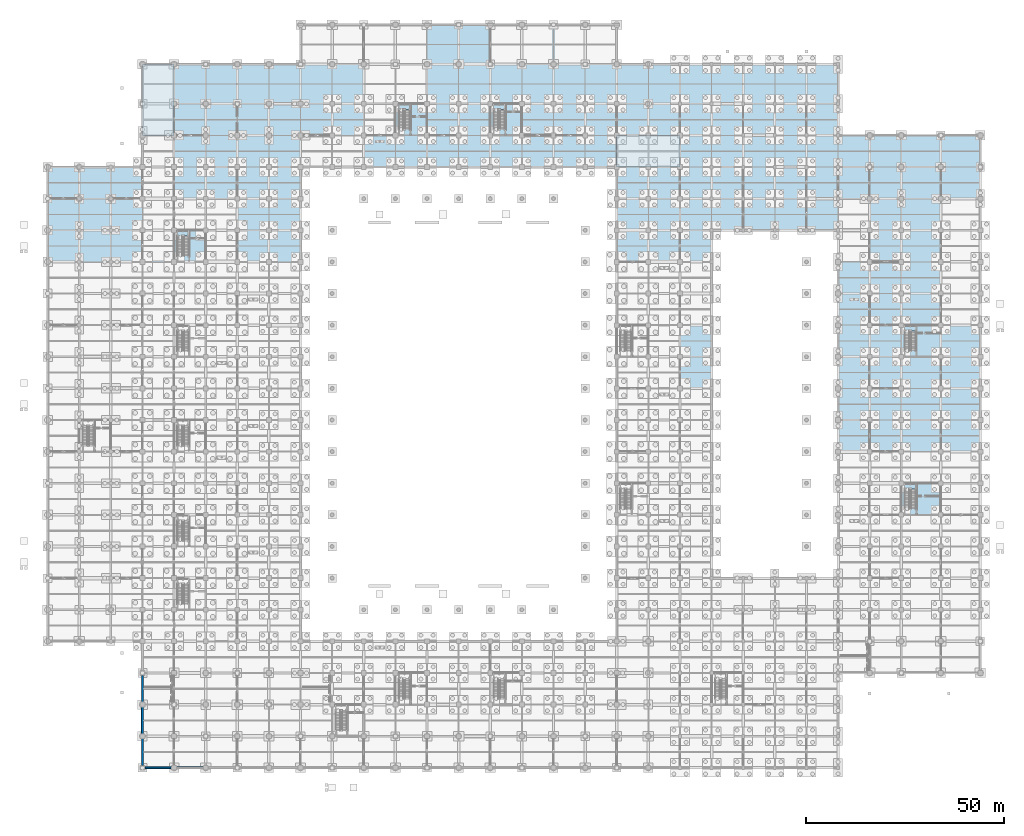
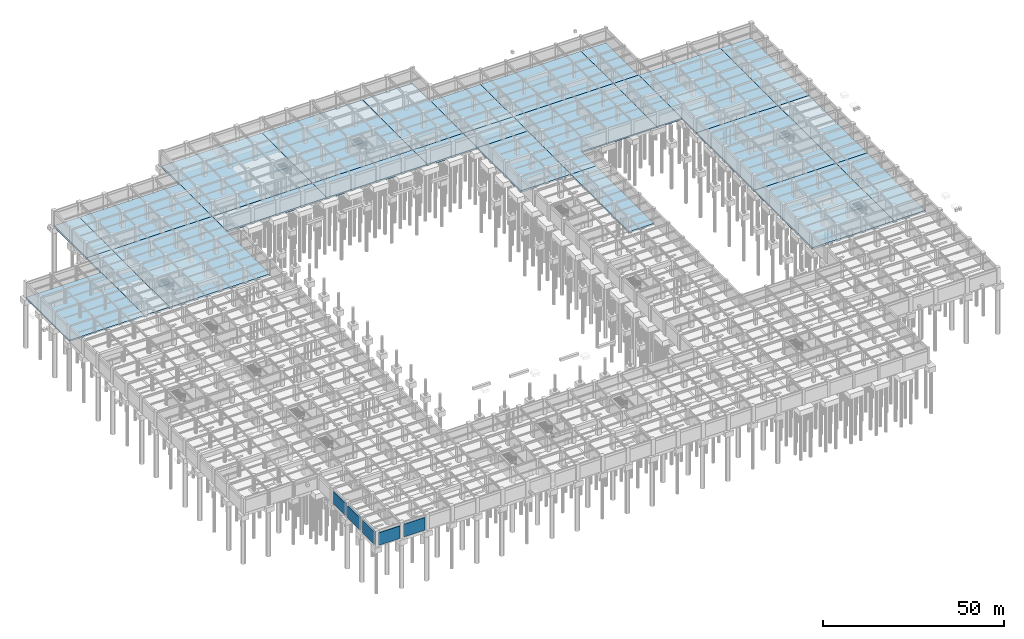
# One storey, part 66 of 97: 30 slabs, 5 walls, 5 elements without a shape of their own.
"""IFC4 building model written with IfcOpenShell, lengths in metres."""

from ifc_helpers import new_model, si_unit, direction, frame, frame_2d, origin, place, context, subcontext, project, spatial, polyline, rectangle, outline, extrude, material, layer, layer_set, type_object, element, aggregate, save


model = new_model("IFC4")

# Units and contexts
model_context = context("Model", 3, precision=1e-05, world=origin(), true_north=direction((0.0, 1.0)))
body_context = subcontext(model_context, "Body", "Model", "MODEL_VIEW")
ifc_project = project(units=[si_unit("LENGTHUNIT", "METRE"), si_unit("AREAUNIT", "SQUARE_METRE"), si_unit("VOLUMEUNIT", "CUBIC_METRE"), si_unit("PLANEANGLEUNIT", "RADIAN"), si_unit("MASSUNIT", "GRAM", prefix="KILO")], contexts=[model_context])

# Site, building, storey
site_placement = place(None, origin())
site = spatial("IfcSite", under=ifc_project, at=site_placement, CompositionType="ELEMENT")
building_placement = place(site_placement, origin())
building = spatial("IfcBuilding", under=site, at=building_placement, Name="Haebicheon Civic Stadium", CompositionType="ELEMENT")
storey_placement = place(building_placement, frame((0.0, 0.0, -5.39990234375)))
storey = spatial("IfcBuildingStorey", under=building, at=storey_placement, Name="B1", CompositionType="ELEMENT", Elevation=-5.39990234375)

# Slabs
ifc_material_1 = material(Name="Concrete C40/50", Category="concrete")
ifc_layer_1 = layer(ifc_material_1, 0.449951171875, Name="Concrete C40/50")
ifc_layer_set_1 = layer_set([ifc_layer_1], Name="Concrete C40/50")
slab_type_1 = type_object("IfcSlabType", Name="SLB-BASE-450", PredefinedType="BASESLAB", material=ifc_layer_set_1)
slab_1_placement = place(storey_placement, frame((0.0, 0.0, -0.4501953125)))
element("IfcSlab", 1, at=slab_1_placement, inside=storey, type_object=slab_type_1, material=ifc_layer_set_1, Name="B1 V5 structural slab 4.1", PredefinedType="BASESLAB", context=body_context, shape_type="SweptSolid", body=[
    extrude(outline(polyline([(0.0, 144.0), (0.0, 152.0), (8.0, 152.0), (16.0, 152.0), (24.0, 152.0), (24.0, 144.0), (24.0, 136.0), (24.0, 128.0), (16.0, 128.0), (8.0, 128.0), (0.0, 128.0), (0.0, 136.0), (0.0, 144.0)])), origin(), (0.0, 0.0, 1.0), 0.4501953125),
])
ifc_material_2 = material(Name="Concrete C40/50", Category="concrete")
ifc_layer_2 = layer(ifc_material_2, 0.5, Name="Concrete C40/50")
ifc_layer_set_2 = layer_set([ifc_layer_2], Name="Concrete C40/50")
slab_type_2 = type_object("IfcSlabType", Name="SLB-BASE-500", PredefinedType="BASESLAB", material=ifc_layer_set_2)
slab_2_placement = place(storey_placement, frame((0.0, 0.0, -0.5)))
element("IfcSlab", 2, at=slab_2_placement, inside=storey, type_object=slab_type_2, material=ifc_layer_set_2, Name="B1 V4 structural slab 2.1", PredefinedType="BASESLAB", context=body_context, shape_type="SweptSolid", body=[
    extrude(outline(polyline([(144.0, 152.0), (144.0, 160.0), (152.0, 160.0), (160.0, 160.0), (160.0, 152.0), (152.0, 152.0), (144.0, 152.0)])), origin(), (0.0, 0.0, 1.0), 0.5),
])
slab_3_placement = place(storey_placement, frame((0.0, 0.0, -0.5)))
element("IfcSlab", 3, at=slab_3_placement, inside=storey, type_object=slab_type_2, material=ifc_layer_set_2, Name="B1 V4 structural slab 3.1", PredefinedType="BASESLAB", context=body_context, shape_type="SweptSolid", body=[
    extrude(outline(polyline([(144.0, 168.0), (144.0, 178.0), (152.0, 178.0), (160.0, 178.0), (160.0, 168.0), (160.0, 160.0), (152.0, 160.0), (144.0, 160.0), (144.0, 168.0)])), origin(), (0.0, 0.0, 1.0), 0.5),
])
slab_4_placement = place(storey_placement, frame((0.0, 0.0, -0.5)))
element("IfcSlab", 4, at=slab_4_placement, inside=storey, type_object=slab_type_2, material=ifc_layer_set_2, Name="B1 V4 structural slab 7.1", PredefinedType="BASESLAB", context=body_context, shape_type="SweptSolid", body=[
    extrude(outline(polyline([(160.0, 96.0), (160.0, 104.0), (160.0, 112.0), (160.0, 120.0), (160.0, 128.0), (168.0, 128.0), (168.0, 120.0), (168.0, 112.0), (168.0, 104.0), (168.0, 96.0), (160.0, 96.0)])), origin(), (0.0, 0.0, 1.0), 0.5),
])
slab_5_placement = place(storey_placement, frame((0.0, 0.0, -0.5)))
element("IfcSlab", 5, at=slab_5_placement, inside=storey, type_object=slab_type_2, material=ifc_layer_set_2, Name="B1 V4 structural slab 8.1", PredefinedType="BASESLAB", context=body_context, shape_type="SweptSolid", body=[
    extrude(outline(polyline([(160.0, 136.0), (160.0, 144.0), (160.0, 152.0), (160.0, 160.0), (168.0, 160.0), (176.0, 160.0), (184.0, 160.0), (192.0, 160.0), (192.0, 152.0), (192.0, 144.0), (192.0, 136.0), (184.0, 136.0), (176.0, 136.0), (168.0, 136.0), (168.0, 128.0), (160.0, 128.0), (160.0, 136.0)])), origin(), (0.0, 0.0, 1.0), 0.5),
])
slab_6_placement = place(storey_placement, frame((0.0, 0.0, -0.5)))
element("IfcSlab", 6, at=slab_6_placement, inside=storey, type_object=slab_type_2, material=ifc_layer_set_2, Name="B1 V4 structural slab 9.1", PredefinedType="BASESLAB", context=body_context, shape_type="SweptSolid", body=[
    extrude(outline(polyline([(192.0, 160.0), (184.0, 160.0), (176.0, 160.0), (168.0, 160.0), (160.0, 160.0), (160.0, 168.0), (160.0, 178.0), (168.0, 178.0), (176.0, 178.0), (184.0, 178.0), (192.0, 178.0), (192.0, 168.0), (192.0, 160.0)])), origin(), (0.0, 0.0, 1.0), 0.5),
])
slab_7_placement = place(storey_placement, frame((0.0, 0.0, -0.5)))
element("IfcSlab", 7, at=slab_7_placement, inside=storey, type_object=slab_type_2, material=ifc_layer_set_2, Name="B1 V4 structural slab 12.1", PredefinedType="BASESLAB", context=body_context, shape_type="SweptSolid", body=[
    extrude(outline(polyline([(200.0, 136.0), (192.0, 136.0), (192.0, 144.0), (192.0, 152.0), (192.0, 160.0), (200.0, 160.0), (200.0, 152.0), (200.0, 144.0), (200.0, 136.0)])), origin(), (0.0, 0.0, 1.0), 0.5),
])
slab_8_placement = place(storey_placement, frame((0.0, 0.0, -0.5)))
element("IfcSlab", 8, at=slab_8_placement, inside=storey, type_object=slab_type_2, material=ifc_layer_set_2, Name="B1 V4 structural slab 13.1", PredefinedType="BASESLAB", context=body_context, shape_type="SweptSolid", body=[
    extrude(outline(polyline([(200.0, 160.0), (192.0, 160.0), (192.0, 168.0), (192.0, 178.0), (200.0, 178.0), (200.0, 168.0), (200.0, 160.0)])), origin(), (0.0, 0.0, 1.0), 0.5),
])
ifc_material_3 = material(Name="Concrete C40/50", Category="concrete")
ifc_layer_3 = layer(ifc_material_3, 0.60009765625, Name="Concrete C40/50")
ifc_layer_set_3 = layer_set([ifc_layer_3], Name="Concrete C40/50")
slab_type_3 = type_object("IfcSlabType", Name="SLB-BASE-600", PredefinedType="BASESLAB", material=ifc_layer_set_3)
slab_9_placement = place(storey_placement, frame((0.0, 0.0, -0.60009765625)))
element("IfcSlab", 9, at=slab_9_placement, inside=storey, type_object=slab_type_3, material=ifc_layer_set_3, Name="B1 V1 structural slab 5.1", PredefinedType="BASESLAB", context=body_context, shape_type="SweptSolid", body=[
    extrude(outline(polyline([(24.0, 128.0), (24.0, 136.0), (24.0, 144.0), (24.0, 152.0), (24.0, 160.0), (32.0, 160.0), (32.0, 152.0), (32.0, 144.0), (32.0, 136.0), (32.0, 128.0), (24.0, 128.0)])), origin(), (0.0, 0.0, 1.0), 0.60009765625),
])
slab_10_placement = place(storey_placement, frame((0.0, 0.0, -0.60009765625)))
element("IfcSlab", 10, at=slab_10_placement, inside=storey, type_object=slab_type_3, material=ifc_layer_set_3, Name="B1 V1 structural slab 6.1", PredefinedType="BASESLAB", context=body_context, shape_type="SweptSolid", body=[
    extrude(outline(polyline([(32.0, 160.0), (24.0, 160.0), (24.0, 168.0), (24.0, 178.0), (32.0, 178.0), (32.0, 168.0), (32.0, 160.0)])), origin(), (0.0, 0.0, 1.0), 0.60009765625),
])
slab_11_placement = place(storey_placement, frame((0.0, 0.0, -0.60009765625)))
element("IfcSlab", 11, at=slab_11_placement, inside=storey, type_object=slab_type_3, material=ifc_layer_set_3, Name="B1 V1 structural slab 11.1", PredefinedType="BASESLAB", context=body_context, shape_type="SweptSolid", body=[
    extrude(outline(polyline([(32.0, 152.0), (32.0, 160.0), (40.0, 160.0), (48.0, 160.0), (56.0, 160.0), (64.0, 160.0), (64.0, 152.0), (64.0, 144.0), (64.0, 136.0), (64.0, 128.0), (56.0, 128.0), (48.0, 128.0), (40.0, 128.0), (32.0, 128.0), (32.0, 136.0), (32.0, 144.0), (32.0, 152.0)])), origin(), (0.0, 0.0, 1.0), 0.60009765625),
])
slab_12_placement = place(storey_placement, frame((0.0, 0.0, -0.60009765625)))
element("IfcSlab", 12, at=slab_12_placement, inside=storey, type_object=slab_type_3, material=ifc_layer_set_3, Name="B1 V1 structural slab 12.1", PredefinedType="BASESLAB", context=body_context, shape_type="SweptSolid", body=[
    extrude(outline(polyline([(64.0, 160.0), (56.0, 160.0), (48.0, 160.0), (40.0, 160.0), (32.0, 160.0), (32.0, 168.0), (32.0, 178.0), (40.0, 178.0), (48.0, 178.0), (56.0, 178.0), (64.0, 178.0), (64.0, 168.0), (64.0, 160.0)])), origin(), (0.0, 0.0, 1.0), 0.60009765625),
])
slab_13_placement = place(storey_placement, frame((0.0, 0.0, -0.60009765625)))
element("IfcSlab", 13, at=slab_13_placement, inside=storey, type_object=slab_type_3, material=ifc_layer_set_3, Name="B1 V2 structural slab 2.1", PredefinedType="BASESLAB", context=body_context, shape_type="SweptSolid", body=[
    extrude(outline(polyline([(64.0, 160.0), (72.0, 160.0), (80.0, 160.0), (88.0, 160.0), (96.0, 160.0), (96.0, 152.0), (88.0, 152.0), (80.0, 152.0), (72.0, 152.0), (64.0, 152.0), (64.0, 160.0)])), origin(), (0.0, 0.0, 1.0), 0.60009765625),
])
slab_14_placement = place(storey_placement, frame((0.0, 0.0, -0.60009765625)))
element("IfcSlab", 14, at=slab_14_placement, inside=storey, type_object=slab_type_3, material=ifc_layer_set_3, Name="B1 V2 structural slab 3.1", PredefinedType="BASESLAB", context=body_context, shape_type="SweptSolid", body=[
    extrude(outline(polyline([(64.0, 178.0), (64.0, 188.0), (72.0, 188.0), (80.0, 188.0), (88.0, 188.0), (96.0, 188.0), (96.0, 178.0), (96.0, 168.0), (96.0, 160.0), (88.0, 160.0), (80.0, 160.0), (72.0, 160.0), (64.0, 160.0), (64.0, 168.0), (64.0, 178.0)])), origin(), (0.0, 0.0, 1.0), 0.60009765625),
])
slab_15_placement = place(storey_placement, frame((0.0, 0.0, -0.60009765625)))
element("IfcSlab", 15, at=slab_15_placement, inside=storey, type_object=slab_type_3, material=ifc_layer_set_3, Name="B1 V2 structural slab 5.1", PredefinedType="BASESLAB", context=body_context, shape_type="SweptSolid", body=[
    extrude(outline(polyline([(96.0, 160.0), (104.0, 160.0), (112.0, 160.0), (120.0, 160.0), (128.0, 160.0), (128.0, 152.0), (120.0, 152.0), (112.0, 152.0), (104.0, 152.0), (96.0, 152.0), (96.0, 160.0)])), origin(), (0.0, 0.0, 1.0), 0.60009765625),
])
slab_16_placement = place(storey_placement, frame((0.0, 0.0, -0.60009765625)))
element("IfcSlab", 16, at=slab_16_placement, inside=storey, type_object=slab_type_3, material=ifc_layer_set_3, Name="B1 V2 structural slab 6.1", PredefinedType="BASESLAB", context=body_context, shape_type="SweptSolid", body=[
    extrude(outline(polyline([(96.0, 178.0), (96.0, 188.0), (104.0, 188.0), (112.0, 188.0), (120.0, 188.0), (128.0, 188.0), (128.0, 178.0), (128.0, 168.0), (128.0, 160.0), (120.0, 160.0), (112.0, 160.0), (104.0, 160.0), (96.0, 160.0), (96.0, 168.0), (96.0, 178.0)])), origin(), (0.0, 0.0, 1.0), 0.60009765625),
])
slab_17_placement = place(storey_placement, frame((0.0, 0.0, -0.60009765625)))
element("IfcSlab", 17, at=slab_17_placement, inside=storey, type_object=slab_type_3, material=ifc_layer_set_3, Name="B1 V2 structural slab 11.1", PredefinedType="BASESLAB", context=body_context, shape_type="SweptSolid", body=[
    extrude(outline(polyline([(136.0, 160.0), (144.0, 160.0), (144.0, 152.0), (136.0, 152.0), (128.0, 152.0), (128.0, 160.0), (136.0, 160.0)])), origin(), (0.0, 0.0, 1.0), 0.60009765625),
])
slab_18_placement = place(storey_placement, frame((0.0, 0.0, -0.60009765625)))
element("IfcSlab", 18, at=slab_18_placement, inside=storey, type_object=slab_type_3, material=ifc_layer_set_3, Name="B1 V2 structural slab 11.2", PredefinedType="BASESLAB", context=body_context, shape_type="SweptSolid", body=[
    extrude(outline(polyline([(144.0, 152.0), (152.0, 152.0), (160.0, 152.0), (160.0, 144.0), (160.0, 136.0), (160.0, 128.0), (152.0, 128.0), (144.0, 128.0), (144.0, 136.0), (144.0, 144.0), (144.0, 152.0)])), origin(), (0.0, 0.0, 1.0), 0.60009765625),
])
slab_19_placement = place(storey_placement, frame((0.0, 0.0, -0.60009765625)))
element("IfcSlab", 19, at=slab_19_placement, inside=storey, type_object=slab_type_3, material=ifc_layer_set_3, Name="B1 V2 structural slab 12.1", PredefinedType="BASESLAB", context=body_context, shape_type="SweptSolid", body=[
    extrude(outline(polyline([(128.0, 168.0), (128.0, 178.0), (128.0, 188.0), (136.0, 188.0), (144.0, 188.0), (144.0, 178.0), (144.0, 168.0), (144.0, 160.0), (136.0, 160.0), (128.0, 160.0), (128.0, 168.0)])), origin(), (0.0, 0.0, 1.0), 0.60009765625),
])
slab_20_placement = place(storey_placement, frame((0.0, 0.0, -0.60009765625)))
element("IfcSlab", 20, at=slab_20_placement, inside=storey, type_object=slab_type_3, material=ifc_layer_set_3, Name="B1 V3 structural slab 3.1", PredefinedType="BASESLAB", context=body_context, shape_type="SweptSolid", body=[
    extrude(outline(polyline([(200.0, 80.0), (200.0, 88.0), (200.0, 96.0), (208.0, 96.0), (216.0, 96.0), (226.0, 96.0), (226.0, 88.0), (226.0, 80.0), (226.0, 72.0), (226.0, 64.0), (216.0, 64.0), (208.0, 64.0), (200.0, 64.0), (200.0, 72.0), (200.0, 80.0)])), origin(), (0.0, 0.0, 1.0), 0.60009765625),
])
slab_21_placement = place(storey_placement, frame((0.0, 0.0, -0.60009765625)))
element("IfcSlab", 21, at=slab_21_placement, inside=storey, type_object=slab_type_3, material=ifc_layer_set_3, Name="B1 V3 structural slab 4.1", PredefinedType="BASESLAB", context=body_context, shape_type="SweptSolid", body=[
    extrude(outline(polyline([(200.0, 112.0), (200.0, 120.0), (200.0, 128.0), (208.0, 128.0), (216.0, 128.0), (226.0, 128.0), (226.0, 120.0), (226.0, 112.0), (226.0, 104.0), (226.0, 96.0), (216.0, 96.0), (208.0, 96.0), (200.0, 96.0), (200.0, 104.0), (200.0, 112.0)])), origin(), (0.0, 0.0, 1.0), 0.60009765625),
])
slab_22_placement = place(storey_placement, frame((0.0, 0.0, -0.60009765625)))
element("IfcSlab", 22, at=slab_22_placement, inside=storey, type_object=slab_type_3, material=ifc_layer_set_3, Name="B1 V3 structural slab 5.1", PredefinedType="BASESLAB", context=body_context, shape_type="SweptSolid", body=[
    extrude(outline(polyline([(200.0, 144.0), (200.0, 152.0), (200.0, 160.0), (208.0, 160.0), (216.0, 160.0), (226.0, 160.0), (226.0, 152.0), (226.0, 144.0), (226.0, 136.0), (226.0, 128.0), (216.0, 128.0), (208.0, 128.0), (200.0, 128.0), (200.0, 136.0), (200.0, 144.0)])), origin(), (0.0, 0.0, 1.0), 0.60009765625),
])
slab_23_placement = place(storey_placement, frame((0.0, 0.0, -0.60009765625)))
element("IfcSlab", 23, at=slab_23_placement, inside=storey, type_object=slab_type_3, material=ifc_layer_set_3, Name="B1 V3 structural slab 8.1", PredefinedType="BASESLAB", context=body_context, shape_type="SweptSolid", body=[
    extrude(outline(polyline([(226.0, 64.0), (226.0, 72.0), (226.0, 80.0), (226.0, 88.0), (226.0, 96.0), (236.0, 96.0), (236.0, 88.0), (236.0, 80.0), (236.0, 72.0), (236.0, 64.0), (226.0, 64.0)])), origin(), (0.0, 0.0, 1.0), 0.60009765625),
])
slab_24_placement = place(storey_placement, frame((0.0, 0.0, -0.60009765625)))
element("IfcSlab", 24, at=slab_24_placement, inside=storey, type_object=slab_type_3, material=ifc_layer_set_3, Name="B1 V3 structural slab 9.1", PredefinedType="BASESLAB", context=body_context, shape_type="SweptSolid", body=[
    extrude(outline(polyline([(226.0, 96.0), (226.0, 104.0), (226.0, 112.0), (226.0, 120.0), (226.0, 128.0), (236.0, 128.0), (236.0, 120.0), (236.0, 112.0), (236.0, 104.0), (236.0, 96.0), (226.0, 96.0)])), origin(), (0.0, 0.0, 1.0), 0.60009765625),
])
slab_25_placement = place(storey_placement, frame((0.0, 0.0, -0.60009765625)))
element("IfcSlab", 25, at=slab_25_placement, inside=storey, type_object=slab_type_3, material=ifc_layer_set_3, Name="B1 V3 structural slab 10.1", PredefinedType="BASESLAB", context=body_context, shape_type="SweptSolid", body=[
    extrude(outline(polyline([(226.0, 128.0), (226.0, 136.0), (226.0, 144.0), (226.0, 152.0), (226.0, 160.0), (236.0, 160.0), (236.0, 152.0), (236.0, 144.0), (236.0, 136.0), (236.0, 128.0), (226.0, 128.0)])), origin(), (0.0, 0.0, 1.0), 0.60009765625),
])

# Stair, slab
ifc_material_4 = material(Name="Concrete C40/50", Category="concrete")
stair_type_1 = type_object("IfcStairType", Name="STR-DL-W126-H54", PredefinedType="HALF_TURN_STAIR", material=ifc_material_4)
stair_1_placement = place(storey_placement, origin())
stair_1 = element("IfcStair", 26, at=stair_1_placement, inside=storey, type_object=stair_type_1, material=ifc_material_4, Name="B1 Escape stair ST-05", PredefinedType="HALF_TURN_STAIR")
ifc_material_5 = material(Name="Concrete C40/50", Category="concrete")
ifc_layer_4 = layer(ifc_material_5, 0.199951171875, Name="Concrete C40/50")
ifc_layer_set_4 = layer_set([ifc_layer_4], Name="Concrete C40/50")
slab_type_4 = type_object("IfcSlabType", Name="SLB-LND-200", PredefinedType="LANDING", material=ifc_layer_set_4)
slab_26_placement = place(storey_placement, frame((0.0, 0.0, 2.5)))
slab_26 = element("IfcSlab", 27, at=slab_26_placement, type_object=slab_type_4, material=ifc_layer_set_4, Name="ST-05 landing 1", PredefinedType="LANDING", context=body_context, shape_type="SweptSolid", body=[
    extrude(outline(polyline([(35.739990234375, 134.550048828125), (35.739990234375, 135.840087890625), (32.840087890625, 135.840087890625), (32.840087890625, 134.550048828125), (35.739990234375, 134.550048828125)])), origin(), (0.0, 0.0, 1.0), 0.199951171875),
])
aggregate(stair_1, [slab_26])

ifc_material_6 = material(Name="Concrete C40/50", Category="concrete")
stair_type_2 = type_object("IfcStairType", Name="STR-DL-W128-H54", PredefinedType="HALF_TURN_STAIR", material=ifc_material_6)
stair_2_placement = place(storey_placement, origin())
stair_2 = element("IfcStair", 28, at=stair_2_placement, inside=storey, type_object=stair_type_2, material=ifc_material_6, Name="B1 Escape stair ST-08", PredefinedType="HALF_TURN_STAIR")
slab_27_placement = place(storey_placement, frame((0.0, 0.0, 2.5)))
slab_27 = element("IfcSlab", 29, at=slab_27_placement, type_object=slab_type_4, material=ifc_layer_set_4, Name="ST-08 landing 1", PredefinedType="LANDING", context=body_context, shape_type="SweptSolid", body=[
    extrude(outline(polyline([(91.739990234375, 166.550048828125), (91.739990234375, 167.840087890625), (88.840087890625, 167.840087890625), (88.840087890625, 166.550048828125), (91.739990234375, 166.550048828125)])), origin(), (0.0, 0.0, 1.0), 0.199951171875),
])
aggregate(stair_2, [slab_27])

stair_3_placement = place(storey_placement, origin())
stair_3 = element("IfcStair", 30, at=stair_3_placement, inside=storey, type_object=stair_type_1, material=ifc_material_4, Name="B1 Escape stair ST-09", PredefinedType="HALF_TURN_STAIR")
slab_28_placement = place(storey_placement, frame((0.0, 0.0, 2.5)))
slab_28 = element("IfcSlab", 31, at=slab_28_placement, type_object=slab_type_4, material=ifc_layer_set_4, Name="ST-09 landing 1", PredefinedType="LANDING", context=body_context, shape_type="SweptSolid", body=[
    extrude(outline(polyline([(115.739990234375, 166.550048828125), (115.739990234375, 167.840087890625), (112.840087890625, 167.840087890625), (112.840087890625, 166.550048828125), (115.739990234375, 166.550048828125)])), origin(), (0.0, 0.0, 1.0), 0.199951171875),
])
aggregate(stair_3, [slab_28])

stair_4_placement = place(storey_placement, origin())
stair_4 = element("IfcStair", 32, at=stair_4_placement, inside=storey, type_object=stair_type_2, material=ifc_material_6, Name="B1 Escape stair ST-12", PredefinedType="HALF_TURN_STAIR")
slab_29_placement = place(storey_placement, frame((0.0, 0.0, 2.5)))
slab_29 = element("IfcSlab", 33, at=slab_29_placement, type_object=slab_type_4, material=ifc_layer_set_4, Name="ST-12 landing 1", PredefinedType="LANDING", context=body_context, shape_type="SweptSolid", body=[
    extrude(outline(polyline([(219.739990234375, 70.550048828125), (219.739990234375, 71.840087890625), (216.840087890625, 71.840087890625), (216.840087890625, 70.550048828125), (219.739990234375, 70.550048828125)])), origin(), (0.0, 0.0, 1.0), 0.199951171875),
])
aggregate(stair_4, [slab_29])

stair_5_placement = place(storey_placement, origin())
stair_5 = element("IfcStair", 34, at=stair_5_placement, inside=storey, type_object=stair_type_1, material=ifc_material_4, Name="B1 Escape stair ST-13", PredefinedType="HALF_TURN_STAIR")
slab_30_placement = place(storey_placement, frame((0.0, 0.0, 2.5)))
slab_30 = element("IfcSlab", 35, at=slab_30_placement, type_object=slab_type_4, material=ifc_layer_set_4, Name="ST-13 landing 1", PredefinedType="LANDING", context=body_context, shape_type="SweptSolid", body=[
    extrude(outline(polyline([(219.739990234375, 110.550048828125), (219.739990234375, 111.840087890625), (216.840087890625, 111.840087890625), (216.840087890625, 110.550048828125), (219.739990234375, 110.550048828125)])), origin(), (0.0, 0.0, 1.0), 0.199951171875),
])
aggregate(stair_5, [slab_30])

# Walls
ifc_material_7 = material(Name="Concrete C40/50", Category="concrete")
ifc_layer_5 = layer(ifc_material_7, 0.4599609375, Name="Concrete C40/50")
ifc_layer_set_5 = layer_set([ifc_layer_5], Name="Concrete C40/50")
wall_type_1 = type_object("IfcWallType", Name="EW-RET-460", PredefinedType="STANDARD", material=ifc_layer_set_5)
for number, where, z_axis, x_axis, name in (
    (36, (24.60009765625, 0.0, 0.0), (0.0, 0.0, 1.0), (1.0, 0.0, 0.0), "B1 retaining wall 03-00-S"),
    (37, (24.0, 0.60009765625, 0.0), (0.0, 0.0, 1.0), (0.0, 1.0, 0.0), "B1 retaining wall 03-00-W"),
    (38, (24.0, 16.60009765625, 0.0), (0.0, 0.0, 1.0), (0.0, 1.0, 0.0), "B1 retaining wall 03-02-W"),
):
    element("IfcWall", number, at=place(storey_placement, frame(where, z_axis=z_axis, x_axis=x_axis)), inside=storey, type_object=wall_type_1, material=ifc_layer_set_5, Name=name, PredefinedType="STANDARD", context=body_context, shape_type="SweptSolid", body=[
        extrude(rectangle(XDim=6.7998046875, YDim=0.4599609375, at=frame_2d((3.39990234375, 0.0))), origin(), (0.0, 0.0, 1.0), 4.18994140625),
    ])
ifc_material_8 = material(Name="Concrete C40/50", Category="concrete")
ifc_layer_6 = layer(ifc_material_8, 0.5, Name="Concrete C40/50")
ifc_layer_set_6 = layer_set([ifc_layer_6], Name="Concrete C40/50")
wall_type_2 = type_object("IfcWallType", Name="EW-RET-500", PredefinedType="STANDARD", material=ifc_layer_set_6)
wall_1_placement = place(storey_placement, frame((24.0, 8.60009765625, 0.0), z_axis=(0.0, 0.0, 1.0), x_axis=(0.0, 1.0, 0.0)))
element("IfcWall", 39, at=wall_1_placement, inside=storey, type_object=wall_type_2, material=ifc_layer_set_6, Name="B1 retaining wall 03-01-W", PredefinedType="STANDARD", context=body_context, shape_type="SweptSolid", body=[
    extrude(rectangle(XDim=6.7998046875, YDim=0.5, at=frame_2d((3.39990234375, 0.0))), origin(), (0.0, 0.0, 1.0), 4.18994140625),
])
wall_2_placement = place(storey_placement, frame((32.60009765625, 0.0, 0.0), z_axis=(0.0, 0.0, 1.0), x_axis=(1.0, 0.0, 0.0)))
element("IfcWall", 40, at=wall_2_placement, inside=storey, type_object=wall_type_2, material=ifc_layer_set_6, Name="B1 retaining wall 04-00-S", PredefinedType="STANDARD", context=body_context, shape_type="SweptSolid", body=[
    extrude(rectangle(XDim=6.7998046875, YDim=0.5, at=frame_2d((3.39990234375, 0.0))), origin(), (0.0, 0.0, 1.0), 4.289794921875),
])

save(model, "model.ifc")
